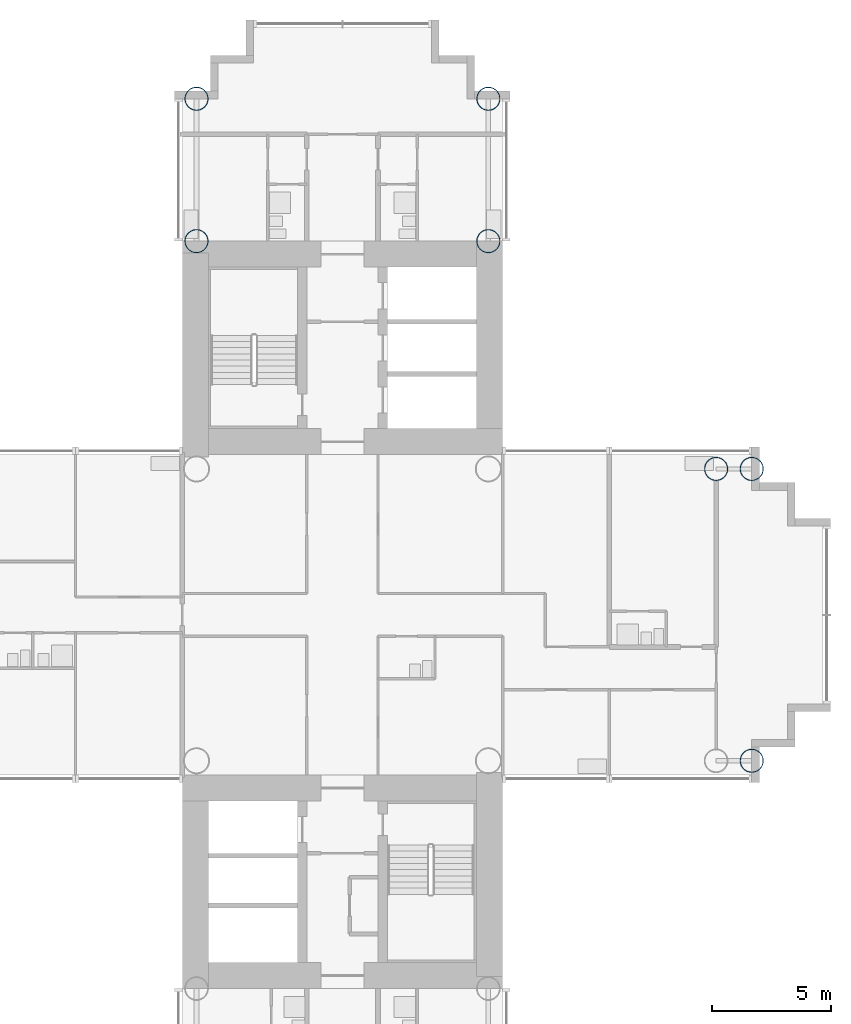
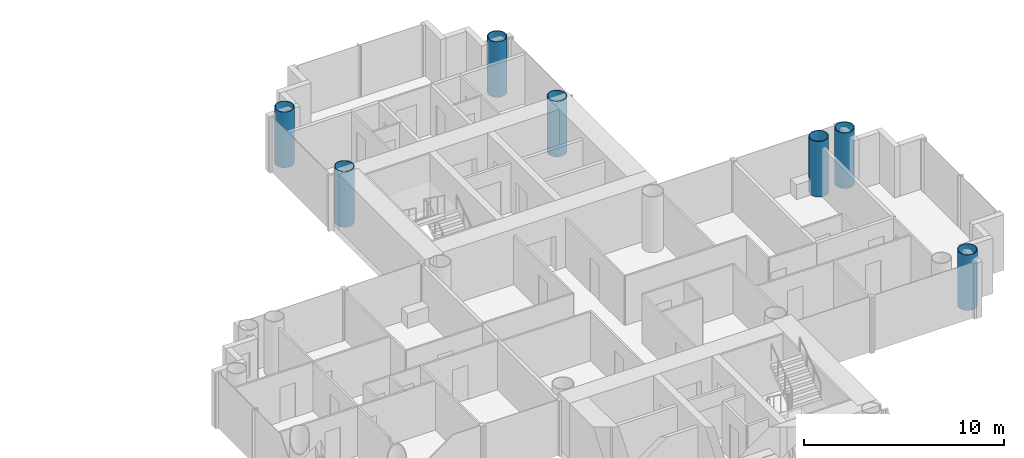
# One storey, part 2 of 21: 7 columns.
"""IFC4 building model written with IfcOpenShell, lengths in metres."""

from ifc_helpers import new_model, si_unit, direction, frame, origin, origin_2d, place, context, subcontext, project, spatial, hollow_circle, extrude, material, material_profile, profile_set, type_object, element, save


model = new_model("IFC4")

# Units and contexts
model_context = context("Model", 3, precision=1e-05, world=origin(), true_north=direction((0.0, 1.0)))
body_context = subcontext(model_context, "Body", "Model", "MODEL_VIEW")
ifc_project = project(units=[si_unit("LENGTHUNIT", "METRE"), si_unit("AREAUNIT", "SQUARE_METRE"), si_unit("VOLUMEUNIT", "CUBIC_METRE"), si_unit("PLANEANGLEUNIT", "RADIAN"), si_unit("MASSUNIT", "GRAM", prefix="KILO")], contexts=[model_context])

# Site, building, storey
site_placement = place(None, origin())
site = spatial("IfcSite", under=ifc_project, at=site_placement, CompositionType="ELEMENT")
building_placement = place(site_placement, origin())
building = spatial("IfcBuilding", under=site, at=building_placement, Name="Ipe Terrace Towers", CompositionType="ELEMENT")
storey_placement = place(building_placement, frame((0.0, 0.0, 27.89990234375)))
storey = spatial("IfcBuildingStorey", under=building, at=storey_placement, Name="L06", CompositionType="ELEMENT", Elevation=27.89990234375)

# Columns
ifc_material = material(Name="Steel S355 tube with Concrete C60/75 fill", Category="concrete")
ifc_material_profile = material_profile(ifc_material, hollow_circle(Radius=0.5, WallThickness=0.035888671875, at=origin_2d()), Name="CHS-1000x36")
ifc_profile_set = profile_set([ifc_material_profile], Name="Steel S355 tube with Concrete C60/75 fill")
column_type = type_object("IfcColumnType", Name="CH01 COLUMN CHS-1000x36", PredefinedType="COLUMN", material=ifc_profile_set)
for number, where, z_axis, x_axis, name in (
    (1, (42.14990234375, 15.75, 0.0), (0.0, 0.0, 1.0), (1.0, 0.0, 0.0), "Column T2-C-A01"),
    (2, (29.85009765625, 15.75, 0.0), (0.0, 0.0, 1.0), (1.0, 0.0, 0.0), "Column T2-C-A02"),
    (3, (42.14990234375, 21.75, 0.0), (0.0, 0.0, 1.0), (1.0, 0.0, 0.0), "Column T2-C-A03"),
    (4, (29.85009765625, 21.75, 0.0), (0.0, 0.0, 1.0), (1.0, 0.0, 0.0), "Column T2-C-A04"),
    (5, (51.75, 6.14990234375, 0.0), (0.0, 0.0, 1.0), (1.0, 0.0, 0.0), "Column T2-C-D04"),
    (6, (53.25, -6.14990234375, 0.0), (0.0, 0.0, 1.0), (1.0, 0.0, 0.0), "Column T2-C-D05"),
    (7, (53.25, 6.14990234375, 0.0), (0.0, 0.0, 1.0), (1.0, 0.0, 0.0), "Column T2-C-D06"),
):
    element("IfcColumn", number, at=place(storey_placement, frame(where, z_axis=z_axis, x_axis=x_axis)), inside=storey, type_object=column_type, Name=name, PredefinedType="COLUMN", context=body_context, shape_type="SweptSolid", body=[
        extrude(hollow_circle(Radius=0.5, WallThickness=0.035888671875, at=origin_2d()), origin(), (0.0, 0.0, 1.0), 3.400146484375),
    ])

save(model, "model.ifc")
